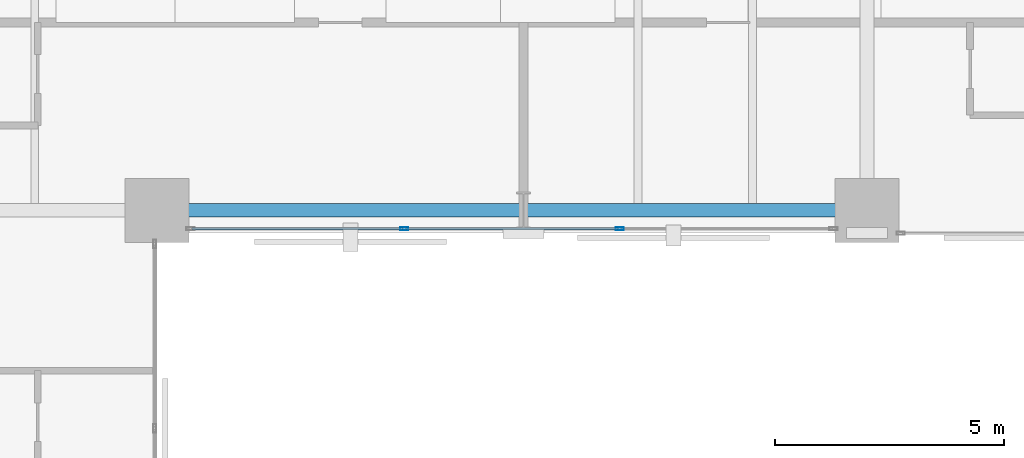
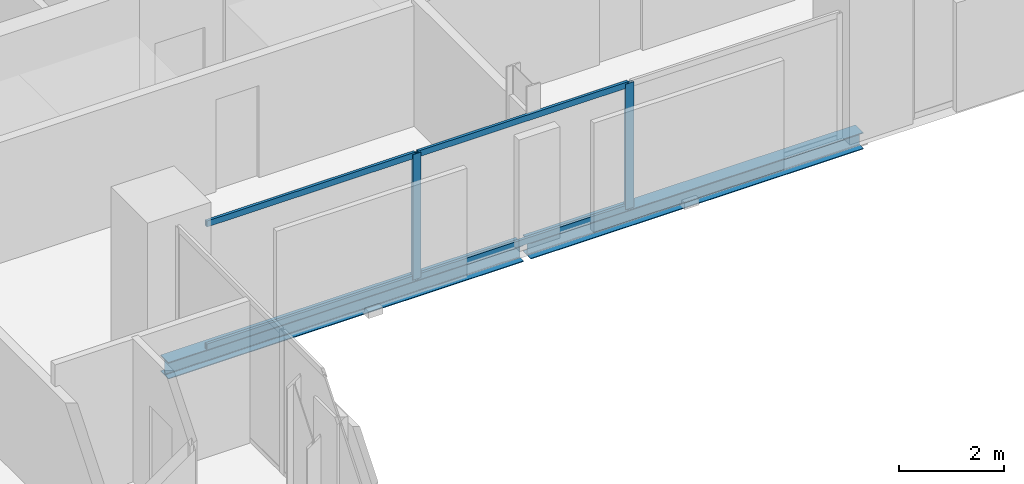
# One storey, part 14 of 33: 6 members, 2 beams, 1 element without a shape of its own.
"""IFC4 building model written with IfcOpenShell, lengths in metres."""

from ifc_helpers import new_model, si_unit, direction, frame, origin, origin_2d, place, context, subcontext, project, spatial, hollow_rectangle, i_section, extrude, material, layer, layer_set, material_profile, profile_set, type_object, element, aggregate, save


model = new_model("IFC4")

# Units and contexts
model_context = context("Model", 3, precision=1e-05, world=origin(), true_north=direction((0.0, 1.0)))
body_context = subcontext(model_context, "Body", "Model", "MODEL_VIEW")
ifc_project = project(units=[si_unit("LENGTHUNIT", "METRE"), si_unit("AREAUNIT", "SQUARE_METRE"), si_unit("VOLUMEUNIT", "CUBIC_METRE"), si_unit("PLANEANGLEUNIT", "RADIAN"), si_unit("MASSUNIT", "GRAM", prefix="KILO")], contexts=[model_context])

# Site, building, storey
site_placement = place(None, origin())
site = spatial("IfcSite", under=ifc_project, at=site_placement, CompositionType="ELEMENT")
building_placement = place(site_placement, origin())
building = spatial("IfcBuilding", under=site, at=building_placement, Name="Catumbela Crestline Tower", CompositionType="ELEMENT")
storey_placement = place(building_placement, frame((0.0, 0.0, 43.8)))
storey = spatial("IfcBuildingStorey", under=building, at=storey_placement, Name="L10", CompositionType="ELEMENT", Elevation=43.8)

# Curtain wall, members
ifc_material_1 = material(Name="Aluminium alloy AW-6060-T66", Category="aluminium")
ifc_layer = layer(ifc_material_1, 0.18, Name="Aluminium alloy AW-6060-T66")
ifc_layer_set = layer_set([ifc_layer], Name="Aluminium alloy AW-6060-T66")
curtain_wall_type = type_object("IfcCurtainWallType", Name="CWU-Z1", PredefinedType="USERDEFINED", material=ifc_layer_set)
curtain_wall_placement = place(storey_placement, origin())
curtain_wall = element("IfcCurtainWall", 1, at=curtain_wall_placement, inside=storey, type_object=curtain_wall_type, Name="L10 Unitised Curtain Wall CW-L10-E3S1", ObjectType="UNITISED", PredefinedType="USERDEFINED")
ifc_material_profile_1 = material_profile(ifc_material_1, hollow_rectangle(XDim=0.065, YDim=0.18, WallThickness=0.004, at=origin_2d()), Name="ALU 180x65x4")
ifc_profile_set_1 = profile_set([ifc_material_profile_1], Name="Aluminium alloy AW-6060-T66")
member_type_1 = type_object("IfcMemberType", Name="MUL-180X65", PredefinedType="MULLION", material=ifc_profile_set_1)
member_1_placement = place(storey_placement, frame((29.4, 24.1, 0.0), z_axis=(0.0, 0.0, 1.0), x_axis=(0.0, 1.0, 0.0)))
member_1 = element("IfcMember", 2, at=member_1_placement, type_object=member_type_1, Name="CWU-Z1 mullion 2", PredefinedType="MULLION", context=body_context, shape_type="SweptSolid", body=[
    extrude(hollow_rectangle(XDim=0.065, YDim=0.18, WallThickness=0.004, at=origin_2d()), origin(), (0.0, 0.0, 1.0), 2.93),
])
member_2_placement = place(storey_placement, frame((34.1, 24.1, 0.0), z_axis=(0.0, 0.0, 1.0), x_axis=(0.0, 1.0, 0.0)))
member_2 = element("IfcMember", 3, at=member_2_placement, type_object=member_type_1, Name="CWU-Z1 mullion 3", PredefinedType="MULLION", context=body_context, shape_type="SweptSolid", body=[
    extrude(hollow_rectangle(XDim=0.065, YDim=0.18, WallThickness=0.004, at=origin_2d()), origin(), (0.0, 0.0, 1.0), 2.93),
])

# Beams
ifc_material_2 = material(Name="Structural steel S355J2", Category="steel")
ifc_material_profile_2 = material_profile(ifc_material_2, i_section(OverallWidth=0.3, OverallDepth=0.39, WebThickness=0.011, FlangeThickness=0.019, FilletRadius=0.027, at=origin_2d()), Name="HEA 400")
ifc_profile_set_2 = profile_set([ifc_material_profile_2], Name="Structural steel S355J2")
beam_type = type_object("IfcBeamType", Name="BS-HEA400", PredefinedType="SPANDREL", material=ifc_profile_set_2)
beam_1_placement = place(storey_placement, frame((24.08, 24.5, -0.455), z_axis=(1.0, 0.0, 0.0), x_axis=(0.0, 1.0, 0.0)))
element("IfcBeam", 4, at=beam_1_placement, inside=storey, type_object=beam_type, Name="L10 Spandrel SP-L10-S05", PredefinedType="SPANDREL", context=body_context, shape_type="SweptSolid", body=[
    extrude(i_section(OverallWidth=0.3, OverallDepth=0.39, WebThickness=0.011, FlangeThickness=0.019, FilletRadius=0.027, at=origin_2d()), origin(), (0.0, 0.0, 1.0), 7.84),
])
beam_2_placement = place(storey_placement, frame((32.08, 24.5, -0.455), z_axis=(1.0, 0.0, 0.0), x_axis=(0.0, 1.0, 0.0)))
element("IfcBeam", 5, at=beam_2_placement, inside=storey, type_object=beam_type, Name="L10 Spandrel SP-L10-S06", PredefinedType="SPANDREL", context=body_context, shape_type="SweptSolid", body=[
    extrude(i_section(OverallWidth=0.3, OverallDepth=0.39, WebThickness=0.011, FlangeThickness=0.019, FilletRadius=0.027, at=origin_2d()), origin(), (0.0, 0.0, 1.0), 7.34),
])

# Member
ifc_material_profile_3 = material_profile(ifc_material_1, hollow_rectangle(XDim=0.06, YDim=0.14, WallThickness=0.004, at=origin_2d()), Name="ALU 140x60x4")
ifc_profile_set_3 = profile_set([ifc_material_profile_3], Name="Aluminium alloy AW-6060-T66")
member_type_2 = type_object("IfcMemberType", Name="TRN-140X60", PredefinedType="USERDEFINED", material=ifc_profile_set_3)
member_3_placement = place(storey_placement, frame((24.765, 24.1, 0.03), z_axis=(1.0, 0.0, 0.0), x_axis=(0.0, 1.0, 0.0)))
member_3 = element("IfcMember", 6, at=member_3_placement, type_object=member_type_2, Name="CWU-Z1 transom 1.1", ObjectType="TRANSOM", PredefinedType="USERDEFINED", context=body_context, shape_type="SweptSolid", body=[
    extrude(hollow_rectangle(XDim=0.06, YDim=0.14, WallThickness=0.004, at=origin_2d()), origin(), (0.0, 0.0, 1.0), 4.6025),
])

member_4_placement = place(storey_placement, frame((24.765, 24.1, 2.9), z_axis=(1.0, 0.0, 0.0), x_axis=(0.0, 1.0, 0.0)))
member_4 = element("IfcMember", 7, at=member_4_placement, type_object=member_type_2, Name="CWU-Z1 transom 1.2", ObjectType="TRANSOM", PredefinedType="USERDEFINED", context=body_context, shape_type="SweptSolid", body=[
    extrude(hollow_rectangle(XDim=0.06, YDim=0.14, WallThickness=0.004, at=origin_2d()), origin(), (0.0, 0.0, 1.0), 4.6025),
])

member_5_placement = place(storey_placement, frame((29.4325, 24.1, 0.03), z_axis=(1.0, 0.0, 0.0), x_axis=(0.0, 1.0, 0.0)))
member_5 = element("IfcMember", 8, at=member_5_placement, type_object=member_type_2, Name="CWU-Z1 transom 2.1", ObjectType="TRANSOM", PredefinedType="USERDEFINED", context=body_context, shape_type="SweptSolid", body=[
    extrude(hollow_rectangle(XDim=0.06, YDim=0.14, WallThickness=0.004, at=origin_2d()), origin(), (0.0, 0.0, 1.0), 4.635),
])

member_6_placement = place(storey_placement, frame((29.4325, 24.1, 2.9), z_axis=(1.0, 0.0, 0.0), x_axis=(0.0, 1.0, 0.0)))
member_6 = element("IfcMember", 9, at=member_6_placement, type_object=member_type_2, Name="CWU-Z1 transom 2.2", ObjectType="TRANSOM", PredefinedType="USERDEFINED", context=body_context, shape_type="SweptSolid", body=[
    extrude(hollow_rectangle(XDim=0.06, YDim=0.14, WallThickness=0.004, at=origin_2d()), origin(), (0.0, 0.0, 1.0), 4.635),
])

aggregate(curtain_wall, [member_1, member_2, member_3, member_4, member_5, member_6])

save(model, "model.ifc")
